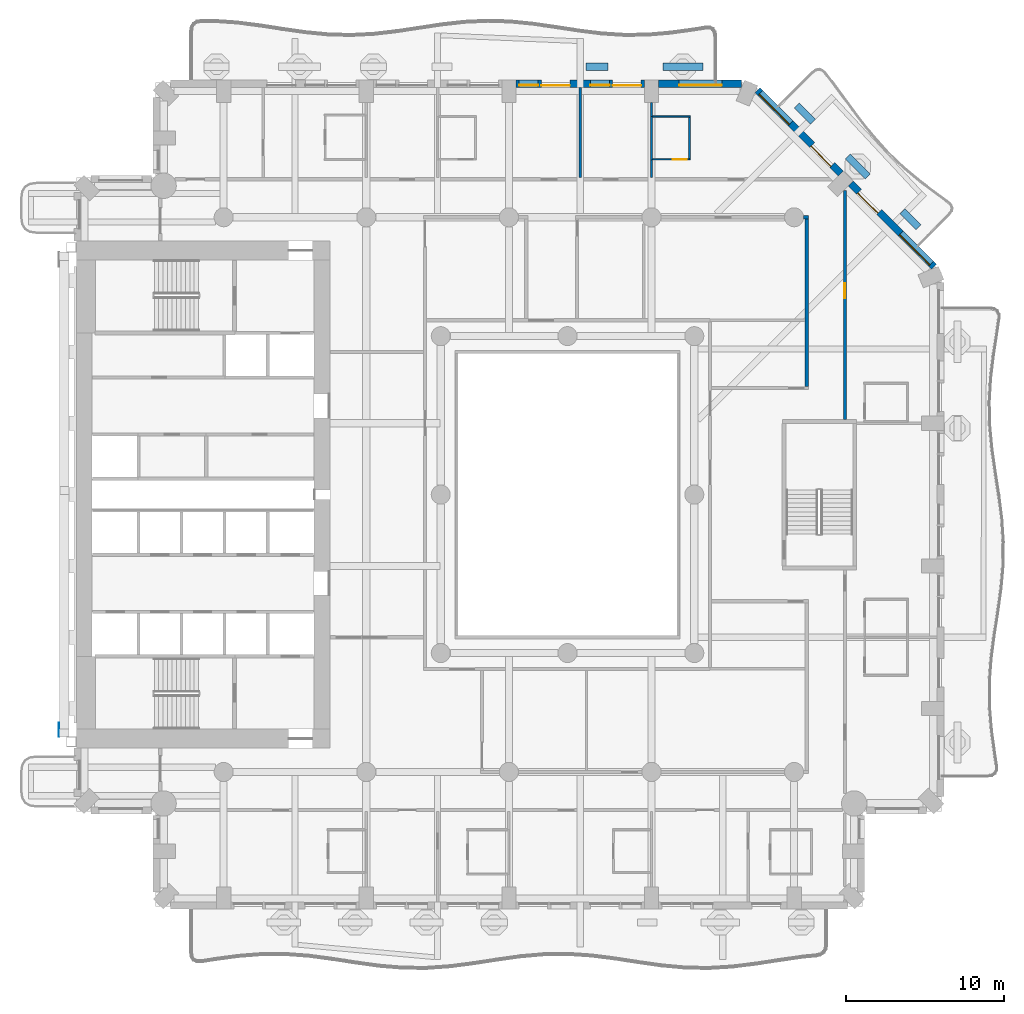
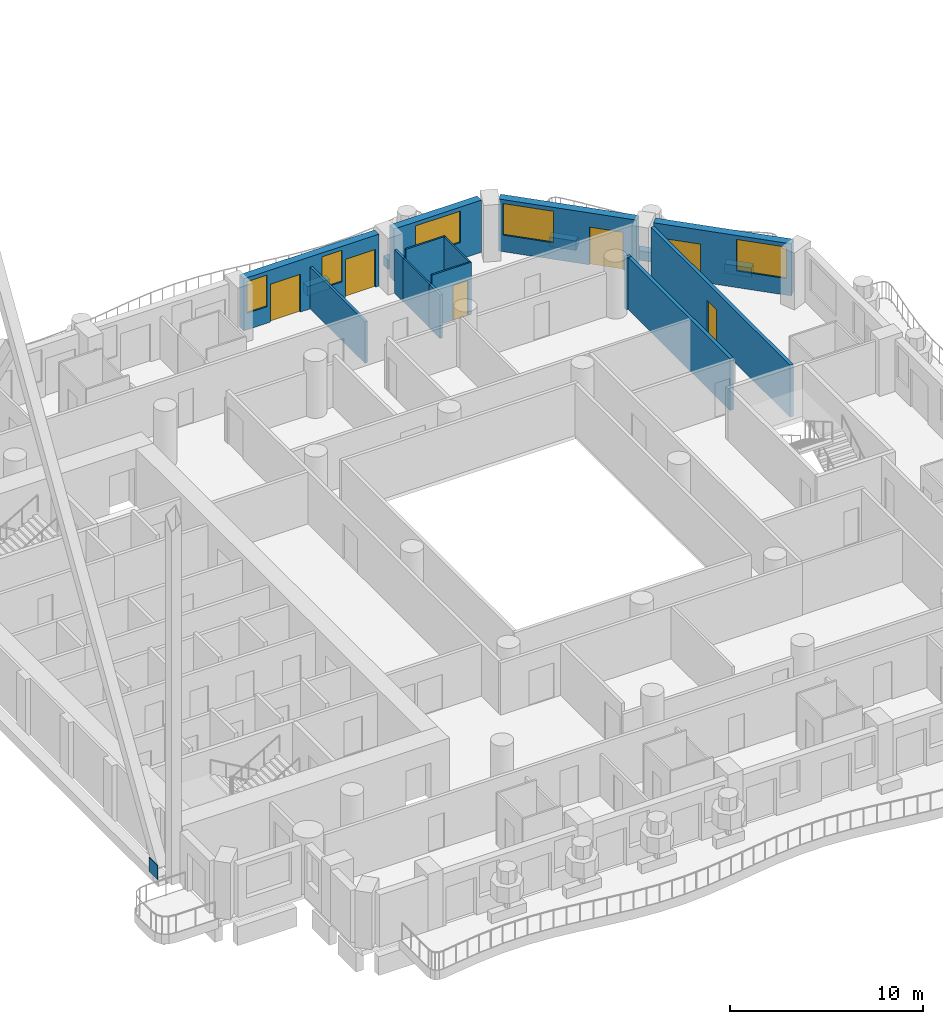
# One storey, part 11 of 24: 19 walls, 6 doors, 5 windows, 1 discrete accessory, 11 openings.
"""IFC4 building model written with IfcOpenShell, lengths in metres."""

from ifc_helpers import new_model, si_unit, direction, frame, frame_2d, origin, origin_2d, place, context, subcontext, project, spatial, rectangle, extrude, material, layer, layer_set, material_profile, profile_set, type_object, element, fill, save


model = new_model("IFC4")

# Units and contexts
model_context = context("Model", 3, precision=1e-05, world=origin(), true_north=direction((0.0, 1.0)))
body_context = subcontext(model_context, "Body", "Model", "MODEL_VIEW")
ifc_project = project(units=[si_unit("LENGTHUNIT", "METRE"), si_unit("AREAUNIT", "SQUARE_METRE"), si_unit("VOLUMEUNIT", "CUBIC_METRE"), si_unit("PLANEANGLEUNIT", "RADIAN"), si_unit("MASSUNIT", "GRAM", prefix="KILO")], contexts=[model_context])

# Site, building, storey
site_placement = place(None, origin())
site = spatial("IfcSite", under=ifc_project, at=site_placement, CompositionType="ELEMENT")
building_placement = place(site_placement, origin())
building = spatial("IfcBuilding", under=site, at=building_placement, Name="Cypress Arch Tower", CompositionType="ELEMENT")
storey_placement = place(building_placement, frame((0.0, 0.0, 102.300048828125)))
storey = spatial("IfcBuildingStorey", under=building, at=storey_placement, Name="L20", CompositionType="ELEMENT", Elevation=102.300048828125)

# Walls
ifc_material_1 = material(Name="Concrete C40/50, waterproofed", Category="concrete")
ifc_layer_1 = layer(ifc_material_1, 0.449951171875)
ifc_layer_set_1 = layer_set([ifc_layer_1], Name="Balcony planter wall PW450")
wall_type_1 = type_object("IfcWallType", Name="Balcony planter wall PW450", PredefinedType="SOLIDWALL", material=ifc_layer_set_1)
wall_1_placement = place(storey_placement, frame((23.150390625, 16.86376953125, 0.0), z_axis=(0.0, 0.0, 1.0), x_axis=(-0.707106781187, 0.707106781187, 0.0)))
element("IfcWall", 1, at=wall_1_placement, inside=storey, type_object=wall_type_1, Name="Balcony planter wall L20-A07.1", PredefinedType="SOLIDWALL", context=body_context, shape_type="SweptSolid", body=[
    extrude(rectangle(XDim=1.44482421875, YDim=0.449951171875, at=frame_2d((0.722412109375, 0.0))), origin(), (0.0, 0.0, 1.0), 0.599853515625),
])
wall_2_placement = place(storey_placement, frame((19.9365234375, 20.07763671875, 0.0), z_axis=(0.0, 0.0, 1.0), x_axis=(-0.707106781187, 0.707106781187, 0.0)))
element("IfcWall", 2, at=wall_2_placement, inside=storey, type_object=wall_type_1, Name="Balcony planter wall L20-A07.2", PredefinedType="SOLIDWALL", context=body_context, shape_type="SweptSolid", body=[
    extrude(rectangle(XDim=1.780517578125, YDim=0.449951171875, at=frame_2d((0.89013671875, 0.0))), origin(), (0.0, 0.0, 1.0), 0.599853515625),
])
wall_3_placement = place(storey_placement, frame((16.485595703125, 23.528564453125, 0.0), z_axis=(0.0, 0.0, 1.0), x_axis=(-0.707022305137, 0.707191247145, 0.0)))
element("IfcWall", 3, at=wall_3_placement, inside=storey, type_object=wall_type_1, Name="Balcony planter wall L20-A07.3", PredefinedType="SOLIDWALL", context=body_context, shape_type="SweptSolid", body=[
    extrude(rectangle(XDim=1.445068359375, YDim=0.449951171875, at=frame_2d((0.72265625, 0.0))), origin(), (0.0, 0.0, 1.0), 0.599853515625),
])
wall_4_placement = place(storey_placement, frame((9.550048828125, 27.0, 0.0), z_axis=(0.0, 0.0, 1.0), x_axis=(-1.0, 0.0, 0.0)))
element("IfcWall", 4, at=wall_4_placement, inside=storey, type_object=wall_type_1, Name="Balcony planter wall L20-A08.1", PredefinedType="SOLIDWALL", context=body_context, shape_type="SweptSolid", body=[
    extrude(rectangle(XDim=2.53759765625, YDim=0.449951171875, at=frame_2d((1.268798828125, 0.0))), origin(), (0.0, 0.0, 1.0), 0.599853515625),
])
wall_5_placement = place(storey_placement, frame((3.550048828125, 27.0, 0.0), z_axis=(0.0, 0.0, 1.0), x_axis=(-1.0, 0.0, 0.0)))
element("IfcWall", 5, at=wall_5_placement, inside=storey, type_object=wall_type_1, Name="Balcony planter wall L20-A08.2", PredefinedType="SOLIDWALL", context=body_context, shape_type="SweptSolid", body=[
    extrude(rectangle(XDim=1.375, YDim=0.449951171875, at=frame_2d((0.6875, 0.0))), origin(), (0.0, 0.0, 1.0), 0.599853515625),
])

# Wall, openings, door, window
ifc_material_2 = material(Name="Brick (red buff blend)", Category="masonry")
ifc_layer_2 = layer(ifc_material_2, 0.449951171875)
ifc_layer_set_2 = layer_set([ifc_layer_2], Name="Brick pier and spandrel wall BW450")
wall_type_2 = type_object("IfcWallType", Name="Brick pier and spandrel wall BW450", PredefinedType="SOLIDWALL", material=ifc_layer_set_2)
wall_6_placement = place(storey_placement, frame((24.11474609375, 14.379150390625, 0.0), z_axis=(0.0, 0.0, 1.0), x_axis=(-0.707106781187, 0.707106781187, 0.0)))
wall_6 = element("IfcWall", 6, at=wall_6_placement, inside=storey, type_object=wall_type_2, Name="Brick wall L20 A07.0", PredefinedType="SOLIDWALL", context=body_context, shape_type="SweptSolid", body=[
    extrude(rectangle(XDim=7.423828125, YDim=0.449951171875, at=frame_2d((3.7119140625, 0.0))), origin(), (0.0, 0.0, 1.0), 3.300048828125),
])
opening_1_placement = place(wall_6_placement, frame((0.253173828125, 0.0, 1.050048828125)))
opening_1 = element("IfcOpeningElement", 7, at=opening_1_placement, cuts=wall_6, Name="Opening W270HD", PredefinedType="OPENING", context=body_context, shape_type="SweptSolid", body=[
    extrude(rectangle(XDim=2.699951171875, YDim=2.0, at=frame_2d((1.35009765625, 1.0))), frame((0.0, 0.23486328125, 0.0), z_axis=(0.0, -1.0, 0.0), x_axis=(1.0, 0.0, 0.0)), (0.0, 0.0, 1.0), 0.469970703125),
])
opening_2_placement = place(wall_6_placement, frame((4.8837890625, 0.0, 0.0)))
opening_2 = element("IfcOpeningElement", 8, at=opening_2_placement, cuts=wall_6, Name="Opening D-L20-A07.0.2", PredefinedType="OPENING", context=body_context, shape_type="SweptSolid", body=[
    extrude(rectangle(XDim=1.800048828125, YDim=2.39990234375, at=frame_2d((0.89990234375, 1.199951171875))), frame((0.0, 0.23486328125, 0.0), z_axis=(0.0, -1.0, 0.0), x_axis=(1.0, 0.0, 0.0)), (0.0, 0.0, 1.0), 0.469970703125),
])
ifc_material_3 = material(Name="Anodised aluminium, bronze finish, laminated low-emissivity double glazing, large-missile impact rated", Category="aluminium")
door_type_1 = type_object("IfcDoorType", Name="Balcony sliding door 1800x2400", OperationType="SLIDING_TO_LEFT", PredefinedType="DOOR", material=ifc_material_3)
door_1_placement = place(opening_2_placement, origin())
door_1 = element("IfcDoor", 9, at=door_1_placement, inside=storey, type_object=door_type_1, Name="Balcony door L20 A07.0.2", OperationType="SLIDING_TO_LEFT", OverallHeight=2.39990234375, OverallWidth=1.800048828125, PredefinedType="DOOR", context=body_context, shape_type="SweptSolid", body=[
    extrude(rectangle(XDim=1.800048828125, YDim=2.39990234375, at=frame_2d((0.89990234375, 1.199951171875))), frame((0.0, 0.1298828125, 0.0), z_axis=(0.0, -1.0, 0.0), x_axis=(1.0, 0.0, 0.0)), (0.0, 0.0, 1.0), 0.050048828125),
])
fill(opening_2, door_1)
ifc_material_4 = material(Name="Anodised aluminium, bronze finish, laminated low-emissivity double glazing, large-missile impact rated", Category="aluminium")
window_type_1 = type_object("IfcWindowType", Name="Window Hotel 2700x2000 debris-rated", PartitioningType="SINGLE_PANEL", PredefinedType="WINDOW", material=ifc_material_4)
window_1_placement = place(opening_1_placement, origin())
window_1 = element("IfcWindow", 10, at=window_1_placement, inside=storey, type_object=window_type_1, Name="Window L20 A07.0.1", OverallHeight=2.0, OverallWidth=2.699951171875, PartitioningType="SINGLE_PANEL", PredefinedType="WINDOW", context=body_context, shape_type="SweptSolid", body=[
    extrude(rectangle(XDim=2.699951171875, YDim=2.0, at=frame_2d((1.35009765625, 1.0))), frame((0.0, 0.135009765625, 0.0), z_axis=(0.0, -1.0, 0.0), x_axis=(1.0, 0.0, 0.0)), (0.0, 0.0, 1.0), 0.06005859375),
])
fill(opening_1, window_1)

wall_7_placement = place(storey_placement, frame((18.228759765625, 20.26513671875, 0.0), z_axis=(0.0, 0.0, 1.0), x_axis=(-0.707106781187, 0.707106781187, 0.0)))
wall_7 = element("IfcWall", 11, at=wall_7_placement, inside=storey, type_object=wall_type_2, Name="Brick wall L20 A07.1", PredefinedType="SOLIDWALL", context=body_context, shape_type="SweptSolid", body=[
    extrude(rectangle(XDim=7.423828125, YDim=0.449951171875, at=frame_2d((3.7119140625, 0.0))), origin(), (0.0, 0.0, 1.0), 3.300048828125),
])
opening_3_placement = place(wall_7_placement, frame((0.740234375, 0.0, 0.0)))
opening_3 = element("IfcOpeningElement", 12, at=opening_3_placement, cuts=wall_7, Name="Opening D-L20-A07.1.1", PredefinedType="OPENING", context=body_context, shape_type="SweptSolid", body=[
    extrude(rectangle(XDim=1.800048828125, YDim=2.39990234375, at=frame_2d((0.89990234375, 1.199951171875))), frame((0.0, 0.23486328125, 0.0), z_axis=(0.0, -1.0, 0.0), x_axis=(1.0, 0.0, 0.0)), (0.0, 0.0, 1.0), 0.469970703125),
])
opening_4_placement = place(wall_7_placement, frame((4.470703125, 0.0, 1.050048828125)))
opening_4 = element("IfcOpeningElement", 13, at=opening_4_placement, cuts=wall_7, Name="Opening W270HD", PredefinedType="OPENING", context=body_context, shape_type="SweptSolid", body=[
    extrude(rectangle(XDim=2.699951171875, YDim=2.0, at=frame_2d((1.35009765625, 1.0))), frame((0.0, 0.23486328125, 0.0), z_axis=(0.0, -1.0, 0.0), x_axis=(1.0, 0.0, 0.0)), (0.0, 0.0, 1.0), 0.469970703125),
])
door_2_placement = place(opening_3_placement, origin())
door_2 = element("IfcDoor", 14, at=door_2_placement, inside=storey, type_object=door_type_1, Name="Balcony door L20 A07.1.1", OperationType="SLIDING_TO_LEFT", OverallHeight=2.39990234375, OverallWidth=1.800048828125, PredefinedType="DOOR", context=body_context, shape_type="SweptSolid", body=[
    extrude(rectangle(XDim=1.800048828125, YDim=2.39990234375, at=frame_2d((0.89990234375, 1.199951171875))), frame((0.0, 0.1298828125, 0.0), z_axis=(0.0, -1.0, 0.0), x_axis=(1.0, 0.0, 0.0)), (0.0, 0.0, 1.0), 0.050048828125),
])
fill(opening_3, door_2)
window_2_placement = place(opening_4_placement, origin())
window_2 = element("IfcWindow", 15, at=window_2_placement, inside=storey, type_object=window_type_1, Name="Window L20 A07.1.2", OverallHeight=2.0, OverallWidth=2.699951171875, PartitioningType="SINGLE_PANEL", PredefinedType="WINDOW", context=body_context, shape_type="SweptSolid", body=[
    extrude(rectangle(XDim=2.699951171875, YDim=2.0, at=frame_2d((1.35009765625, 1.0))), frame((0.0, 0.135009765625, 0.0), z_axis=(0.0, -1.0, 0.0), x_axis=(1.0, 0.0, 0.0)), (0.0, 0.0, 1.0), 0.06005859375),
])
fill(opening_4, window_2)

# Wall, opening, window
wall_8_placement = place(storey_placement, frame((11.98876953125, 25.925048828125, 0.0), z_axis=(0.0, 0.0, 1.0), x_axis=(-1.0, 0.0, 0.0)))
wall_8 = element("IfcWall", 16, at=wall_8_placement, inside=storey, type_object=wall_type_2, Name="Brick wall L20 A08.0", PredefinedType="SOLIDWALL", context=body_context, shape_type="SweptSolid", body=[
    extrude(rectangle(XDim=5.23876953125, YDim=0.449951171875, at=frame_2d((2.619384765625, 0.0))), origin(), (0.0, 0.0, 1.0), 3.300048828125),
])
opening_5_placement = place(wall_8_placement, frame((1.250732421875, 0.0, 1.050048828125)))
opening_5 = element("IfcOpeningElement", 17, at=opening_5_placement, cuts=wall_8, Name="Opening W270HD", PredefinedType="OPENING", context=body_context, shape_type="SweptSolid", body=[
    extrude(rectangle(XDim=2.699951171875, YDim=2.0, at=frame_2d((1.35009765625, 1.0))), frame((0.0, 0.23486328125, 0.0), z_axis=(0.0, -1.0, 0.0), x_axis=(1.0, 0.0, 0.0)), (0.0, 0.0, 1.0), 0.469970703125),
])
window_3_placement = place(opening_5_placement, origin())
window_3 = element("IfcWindow", 18, at=window_3_placement, inside=storey, type_object=window_type_1, Name="Window L20 A08.0.1", OverallHeight=2.0, OverallWidth=2.699951171875, PartitioningType="SINGLE_PANEL", PredefinedType="WINDOW", context=body_context, shape_type="SweptSolid", body=[
    extrude(rectangle(XDim=2.699951171875, YDim=2.0, at=frame_2d((1.35009765625, 1.0))), frame((0.0, 0.135009765625, 0.0), z_axis=(0.0, -1.0, 0.0), x_axis=(1.0, 0.0, 0.0)), (0.0, 0.0, 1.0), 0.06005859375),
])
fill(opening_5, window_3)

# Wall, openings, doors, windows
wall_9_placement = place(storey_placement, frame((5.85009765625, 25.925048828125, 0.0), z_axis=(0.0, 0.0, 1.0), x_axis=(-1.0, 0.0, 0.0)))
wall_9 = element("IfcWall", 19, at=wall_9_placement, inside=storey, type_object=wall_type_2, Name="Brick wall L20 A08.1", PredefinedType="SOLIDWALL", context=body_context, shape_type="SweptSolid", body=[
    extrude(rectangle(XDim=8.10009765625, YDim=0.449951171875, at=frame_2d((4.050048828125, 0.0))), origin(), (0.0, 0.0, 1.0), 3.300048828125),
])
opening_6_placement = place(wall_9_placement, frame((0.199951171875, 0.0, 0.0)))
opening_6 = element("IfcOpeningElement", 20, at=opening_6_placement, cuts=wall_9, Name="Opening D-L20-A08.1.1", PredefinedType="OPENING", context=body_context, shape_type="SweptSolid", body=[
    extrude(rectangle(XDim=1.800048828125, YDim=2.39990234375, at=frame_2d((0.89990234375, 1.199951171875))), frame((0.0, 0.23486328125, 0.0), z_axis=(0.0, -1.0, 0.0), x_axis=(1.0, 0.0, 0.0)), (0.0, 0.0, 1.0), 0.469970703125),
])
opening_7_placement = place(wall_9_placement, frame((2.199951171875, 0.0, 1.050048828125)))
opening_7 = element("IfcOpeningElement", 21, at=opening_7_placement, cuts=wall_9, Name="Opening W120HD", PredefinedType="OPENING", context=body_context, shape_type="SweptSolid", body=[
    extrude(rectangle(XDim=1.199951171875, YDim=2.0, at=frame_2d((0.60009765625, 1.0))), frame((0.0, 0.23486328125, 0.0), z_axis=(0.0, -1.0, 0.0), x_axis=(1.0, 0.0, 0.0)), (0.0, 0.0, 1.0), 0.469970703125),
])
opening_8_placement = place(wall_9_placement, frame((4.699951171875, 0.0, 0.0)))
opening_8 = element("IfcOpeningElement", 22, at=opening_8_placement, cuts=wall_9, Name="Opening D-L20-A08.1.2", PredefinedType="OPENING", context=body_context, shape_type="SweptSolid", body=[
    extrude(rectangle(XDim=1.800048828125, YDim=2.39990234375, at=frame_2d((0.89990234375, 1.199951171875))), frame((0.0, 0.23486328125, 0.0), z_axis=(0.0, -1.0, 0.0), x_axis=(1.0, 0.0, 0.0)), (0.0, 0.0, 1.0), 0.469970703125),
])
opening_9_placement = place(wall_9_placement, frame((6.699951171875, 0.0, 1.050048828125)))
opening_9 = element("IfcOpeningElement", 23, at=opening_9_placement, cuts=wall_9, Name="Opening W120HD", PredefinedType="OPENING", context=body_context, shape_type="SweptSolid", body=[
    extrude(rectangle(XDim=1.199951171875, YDim=2.0, at=frame_2d((0.60009765625, 1.0))), frame((0.0, 0.23486328125, 0.0), z_axis=(0.0, -1.0, 0.0), x_axis=(1.0, 0.0, 0.0)), (0.0, 0.0, 1.0), 0.469970703125),
])
door_3_placement = place(opening_6_placement, origin())
door_3 = element("IfcDoor", 24, at=door_3_placement, inside=storey, type_object=door_type_1, Name="Balcony door L20 A08.1.1", OperationType="SLIDING_TO_LEFT", OverallHeight=2.39990234375, OverallWidth=1.800048828125, PredefinedType="DOOR", context=body_context, shape_type="SweptSolid", body=[
    extrude(rectangle(XDim=1.800048828125, YDim=2.39990234375, at=frame_2d((0.89990234375, 1.199951171875))), frame((0.0, 0.1298828125, 0.0), z_axis=(0.0, -1.0, 0.0), x_axis=(1.0, 0.0, 0.0)), (0.0, 0.0, 1.0), 0.050048828125),
])
fill(opening_6, door_3)
door_4_placement = place(opening_8_placement, origin())
door_4 = element("IfcDoor", 25, at=door_4_placement, inside=storey, type_object=door_type_1, Name="Balcony door L20 A08.1.2", OperationType="SLIDING_TO_LEFT", OverallHeight=2.39990234375, OverallWidth=1.800048828125, PredefinedType="DOOR", context=body_context, shape_type="SweptSolid", body=[
    extrude(rectangle(XDim=1.800048828125, YDim=2.39990234375, at=frame_2d((0.89990234375, 1.199951171875))), frame((0.0, 0.1298828125, 0.0), z_axis=(0.0, -1.0, 0.0), x_axis=(1.0, 0.0, 0.0)), (0.0, 0.0, 1.0), 0.050048828125),
])
fill(opening_8, door_4)
ifc_material_5 = material(Name="Anodised aluminium, bronze finish, laminated low-emissivity double glazing, large-missile impact rated", Category="aluminium")
window_type_2 = type_object("IfcWindowType", Name="Window Hotel 1200x2000 debris-rated", PartitioningType="SINGLE_PANEL", PredefinedType="WINDOW", material=ifc_material_5)
window_4_placement = place(opening_7_placement, origin())
window_4 = element("IfcWindow", 26, at=window_4_placement, inside=storey, type_object=window_type_2, Name="Window L20 A08.1.1", OverallHeight=2.0, OverallWidth=1.199951171875, PartitioningType="SINGLE_PANEL", PredefinedType="WINDOW", context=body_context, shape_type="SweptSolid", body=[
    extrude(rectangle(XDim=1.199951171875, YDim=2.0, at=frame_2d((0.60009765625, 1.0))), frame((0.0, 0.135009765625, 0.0), z_axis=(0.0, -1.0, 0.0), x_axis=(1.0, 0.0, 0.0)), (0.0, 0.0, 1.0), 0.06005859375),
])
fill(opening_7, window_4)
window_5_placement = place(opening_9_placement, origin())
window_5 = element("IfcWindow", 27, at=window_5_placement, inside=storey, type_object=window_type_2, Name="Window L20 A08.1.2", OverallHeight=2.0, OverallWidth=1.199951171875, PartitioningType="SINGLE_PANEL", PredefinedType="WINDOW", context=body_context, shape_type="SweptSolid", body=[
    extrude(rectangle(XDim=1.199951171875, YDim=2.0, at=frame_2d((0.60009765625, 1.0))), frame((0.0, 0.135009765625, 0.0), z_axis=(0.0, -1.0, 0.0), x_axis=(1.0, 0.0, 0.0)), (0.0, 0.0, 1.0), 0.06005859375),
])
fill(opening_9, window_5)

# Walls
ifc_material_6 = material(Name="Concrete blockwork, plastered, rated", Category="masonry")
ifc_layer_3 = layer(ifc_material_6, 0.199951171875)
ifc_layer_set_3 = layer_set([ifc_layer_3], Name="Corridor wall FW200")
wall_type_3 = type_object("IfcWallType", Name="Corridor wall FW200", PredefinedType="PARTITIONING", material=ifc_layer_set_3)
wall_10_placement = place(storey_placement, frame((15.89990234375, 17.5, 0.0), z_axis=(0.0, 0.0, 1.0), x_axis=(1.0, 0.0, 0.0)))
element("IfcWall", 28, at=wall_10_placement, inside=storey, type_object=wall_type_3, Name="Corridor wall", PredefinedType="PARTITIONING", context=body_context, shape_type="SweptSolid", body=[
    extrude(rectangle(XDim=0.300048828125, YDim=0.199951171875, at=frame_2d((0.14990234375, 0.0))), origin(), (0.0, 0.0, 1.0), 3.300048828125),
])
wall_11_placement = place(storey_placement, frame((16.10009765625, 6.824951171875, 0.0), z_axis=(0.0, 0.0, 1.0), x_axis=(0.0, 1.0, 0.0)))
element("IfcWall", 29, at=wall_11_placement, inside=storey, type_object=wall_type_3, Name="Corridor wall", PredefinedType="PARTITIONING", context=body_context, shape_type="SweptSolid", body=[
    extrude(rectangle(XDim=10.574951171875, YDim=0.199951171875, at=frame_2d((5.28759765625, 0.0))), origin(), (0.0, 0.0, 1.0), 3.300048828125),
])

# Wall, opening, door
wall_12_placement = place(storey_placement, frame((18.5, 4.75, 0.0), z_axis=(0.0, 0.0, 1.0), x_axis=(0.0, 1.0, 0.0)))
wall_12 = element("IfcWall", 30, at=wall_12_placement, inside=storey, type_object=wall_type_3, Name="Corridor wall", PredefinedType="PARTITIONING", context=body_context, shape_type="SweptSolid", body=[
    extrude(rectangle(XDim=14.43359375, YDim=0.199951171875, at=frame_2d((7.216796875, 0.0))), origin(), (0.0, 0.0, 1.0), 3.300048828125),
])
opening_10_placement = place(wall_12_placement, frame((7.64990234375, 0.0, 0.0)))
opening_10 = element("IfcOpeningElement", 31, at=opening_10_placement, cuts=wall_12, Name="Opening D02", PredefinedType="OPENING", context=body_context, shape_type="SweptSolid", body=[
    extrude(rectangle(XDim=0.949951171875, YDim=2.199951171875, at=frame_2d((0.47509765625, 1.10009765625))), frame((0.0, 0.10986328125, 0.0), z_axis=(0.0, -1.0, 0.0), x_axis=(1.0, 0.0, 0.0)), (0.0, 0.0, 1.0), 0.219970703125),
])
ifc_material_7 = material(Name="Timber flush door, fire resisting", Category="wood")
door_type_2 = type_object("IfcDoorType", Name="Room door D02 950x2200", OperationType="SINGLE_SWING_LEFT", PredefinedType="DOOR", material=ifc_material_7)
door_5_placement = place(opening_10_placement, origin())
door_5 = element("IfcDoor", 32, at=door_5_placement, inside=storey, type_object=door_type_2, Name="Room door", OperationType="SINGLE_SWING_LEFT", OverallHeight=2.199951171875, OverallWidth=0.949951171875, PredefinedType="DOOR", context=body_context, shape_type="SweptSolid", body=[
    extrude(rectangle(XDim=0.949951171875, YDim=2.199951171875, at=frame_2d((0.47509765625, 1.10009765625))), frame((0.0, 0.02490234375, 0.0), z_axis=(0.0, -1.0, 0.0), x_axis=(1.0, 0.0, 0.0)), (0.0, 0.0, 1.0), 0.050048828125),
])
fill(opening_10, door_5)

# Walls
ifc_material_8 = material(Name="Blockwork, plastered both sides", Category="masonry")
ifc_layer_4 = layer(ifc_material_8, 0.14990234375)
ifc_layer_set_4 = layer_set([ifc_layer_4], Name="Partition PW150")
wall_type_4 = type_object("IfcWallType", Name="Partition PW150", PredefinedType="PARTITIONING", material=ifc_layer_set_4)
wall_13_placement = place(storey_placement, frame((1.800048828125, 20.0, 0.0), z_axis=(0.0, 0.0, 1.0), x_axis=(0.0, 1.0, 0.0)))
element("IfcWall", 33, at=wall_13_placement, inside=storey, type_object=wall_type_4, Name="Partition", PredefinedType="PARTITIONING", context=body_context, shape_type="SweptSolid", body=[
    extrude(rectangle(XDim=5.699951171875, YDim=0.14990234375, at=frame_2d((2.85009765625, 0.0))), origin(), (0.0, 0.0, 1.0), 2.64990234375),
])
wall_14_placement = place(storey_placement, frame((6.300048828125, 20.0, 0.0), z_axis=(0.0, 0.0, 1.0), x_axis=(0.0, 1.0, 0.0)))
element("IfcWall", 34, at=wall_14_placement, inside=storey, type_object=wall_type_4, Name="Partition", PredefinedType="PARTITIONING", context=body_context, shape_type="SweptSolid", body=[
    extrude(rectangle(XDim=1.1298828125, YDim=0.14990234375, at=frame_2d((0.56494140625, 0.0))), origin(), (0.0, 0.0, 1.0), 2.75),
])
wall_15_placement = place(storey_placement, frame((6.300048828125, 23.8701171875, 0.0), z_axis=(0.0, 0.0, 1.0), x_axis=(0.0, 1.0, 0.0)))
element("IfcWall", 35, at=wall_15_placement, inside=storey, type_object=wall_type_4, Name="Partition", PredefinedType="PARTITIONING", context=body_context, shape_type="SweptSolid", body=[
    extrude(rectangle(XDim=0.8798828125, YDim=0.14990234375, at=frame_2d((0.43994140625, 0.0))), origin(), (0.0, 0.0, 1.0), 2.75),
])
ifc_material_9 = material(Name="Moisture resistant board on steel studs, tiled", Category="steel")
ifc_layer_5 = layer(ifc_material_9, 0.10009765625)
ifc_layer_set_5 = layer_set([ifc_layer_5], Name="Wet wall PW100")
wall_type_5 = type_object("IfcWallType", Name="Wet wall PW100", PredefinedType="PARTITIONING", material=ifc_layer_set_5)
wall_16_placement = place(storey_placement, frame((6.300048828125, 21.1298828125, 0.0), z_axis=(0.0, 0.0, 1.0), x_axis=(0.0, 1.0, 0.0)))
element("IfcWall", 36, at=wall_16_placement, inside=storey, type_object=wall_type_5, Name="Wet wall", PredefinedType="PARTITIONING", context=body_context, shape_type="SweptSolid", body=[
    extrude(rectangle(XDim=2.740234375, YDim=0.10009765625, at=frame_2d((1.3701171875, 0.0))), origin(), (0.0, 0.0, 1.0), 2.75),
])

# Wall, opening, door
wall_17_placement = place(storey_placement, frame((6.375, 21.14990234375, 0.0), z_axis=(0.0, 0.0, 1.0), x_axis=(1.0, 0.0, 0.0)))
wall_17 = element("IfcWall", 37, at=wall_17_placement, inside=storey, type_object=wall_type_5, Name="Wet wall", PredefinedType="PARTITIONING", context=body_context, shape_type="SweptSolid", body=[
    extrude(rectangle(XDim=2.37109375, YDim=0.10009765625, at=frame_2d((1.185546875, 0.0))), origin(), (0.0, 0.0, 1.0), 3.300048828125),
])
opening_11_placement = place(wall_17_placement, frame((1.25, 0.0, 0.0)))
opening_11 = element("IfcOpeningElement", 38, at=opening_11_placement, cuts=wall_17, Name="Opening D03", PredefinedType="OPENING", context=body_context, shape_type="SweptSolid", body=[
    extrude(rectangle(XDim=0.89990234375, YDim=2.199951171875, at=frame_2d((0.449951171875, 1.10009765625))), frame((0.0, 0.06005859375, 0.0), z_axis=(0.0, -1.0, 0.0), x_axis=(1.0, 0.0, 0.0)), (0.0, 0.0, 1.0), 0.1201171875),
])
ifc_material_10 = material(Name="Timber flush door, moisture resistant", Category="wood")
door_type_3 = type_object("IfcDoorType", Name="Bathroom door D03 900x2200", OperationType="SINGLE_SWING_LEFT", PredefinedType="DOOR", material=ifc_material_10)
door_6_placement = place(opening_11_placement, origin())
door_6 = element("IfcDoor", 39, at=door_6_placement, inside=storey, type_object=door_type_3, Name="Bathroom door", OperationType="SINGLE_SWING_RIGHT", OverallHeight=2.199951171875, OverallWidth=0.89990234375, PredefinedType="DOOR", context=body_context, shape_type="SweptSolid", body=[
    extrude(rectangle(XDim=0.89990234375, YDim=2.199951171875, at=frame_2d((0.449951171875, 1.10009765625))), frame((0.0, 0.02490234375, 0.0), z_axis=(0.0, -1.0, 0.0), x_axis=(1.0, 0.0, 0.0)), (0.0, 0.0, 1.0), 0.050048828125),
])
fill(opening_11, door_6)

# Walls
wall_18_placement = place(storey_placement, frame((6.375, 23.85009765625, 0.0), z_axis=(0.0, 0.0, 1.0), x_axis=(1.0, 0.0, 0.0)))
element("IfcWall", 40, at=wall_18_placement, inside=storey, type_object=wall_type_5, Name="Wet wall", PredefinedType="PARTITIONING", context=body_context, shape_type="SweptSolid", body=[
    extrude(rectangle(XDim=2.37109375, YDim=0.10009765625, at=frame_2d((1.185546875, 0.0))), origin(), (0.0, 0.0, 1.0), 3.300048828125),
])
wall_19_placement = place(storey_placement, frame((8.696044921875, 21.199951171875, 0.0), z_axis=(0.0, 0.0, 1.0), x_axis=(0.0, 1.0, 0.0)))
element("IfcWall", 41, at=wall_19_placement, inside=storey, type_object=wall_type_5, Name="Wet wall", PredefinedType="PARTITIONING", context=body_context, shape_type="SweptSolid", body=[
    extrude(rectangle(XDim=2.60009765625, YDim=0.10009765625, at=frame_2d((1.300048828125, 0.0))), origin(), (0.0, 0.0, 1.0), 3.300048828125),
])

# Discrete accessory
ifc_material_11 = material(Name="Steel ASTM A992", Category="steel")
ifc_material_profile = material_profile(ifc_material_11, rectangle(XDim=0.89990234375, YDim=0.89990234375, at=origin_2d()), Name="PL 30 900x900")
ifc_profile_set = profile_set([ifc_material_profile], Name="Steel ASTM A992")
discrete_accessory_type = type_object("IfcDiscreteAccessoryType", Name="Gusset plate 900x900x30 Steel ASTM A992", PredefinedType="ANCHORPLATE", material=ifc_profile_set)
discrete_accessory_placement = place(storey_placement, frame((-31.0595703125, -14.84326171875, 0.604736328125), z_axis=(-1.0, 0.0, 0.0), x_axis=(0.0, -1.0, 0.0)))
element("IfcDiscreteAccessory", 42, at=discrete_accessory_placement, inside=storey, type_object=discrete_accessory_type, Name="Gusset plate west bracing 2SB", PredefinedType="ANCHORPLATE", context=body_context, shape_type="SweptSolid", body=[
    extrude(rectangle(XDim=0.89990234375, YDim=0.89990234375, at=origin_2d()), origin(), (0.0, 0.0, 1.0), 0.030029296875),
])

save(model, "model.ifc")
